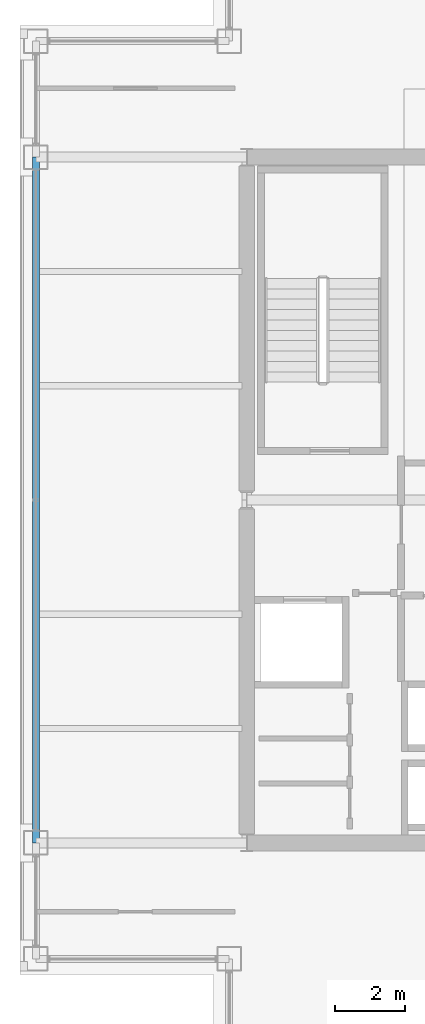
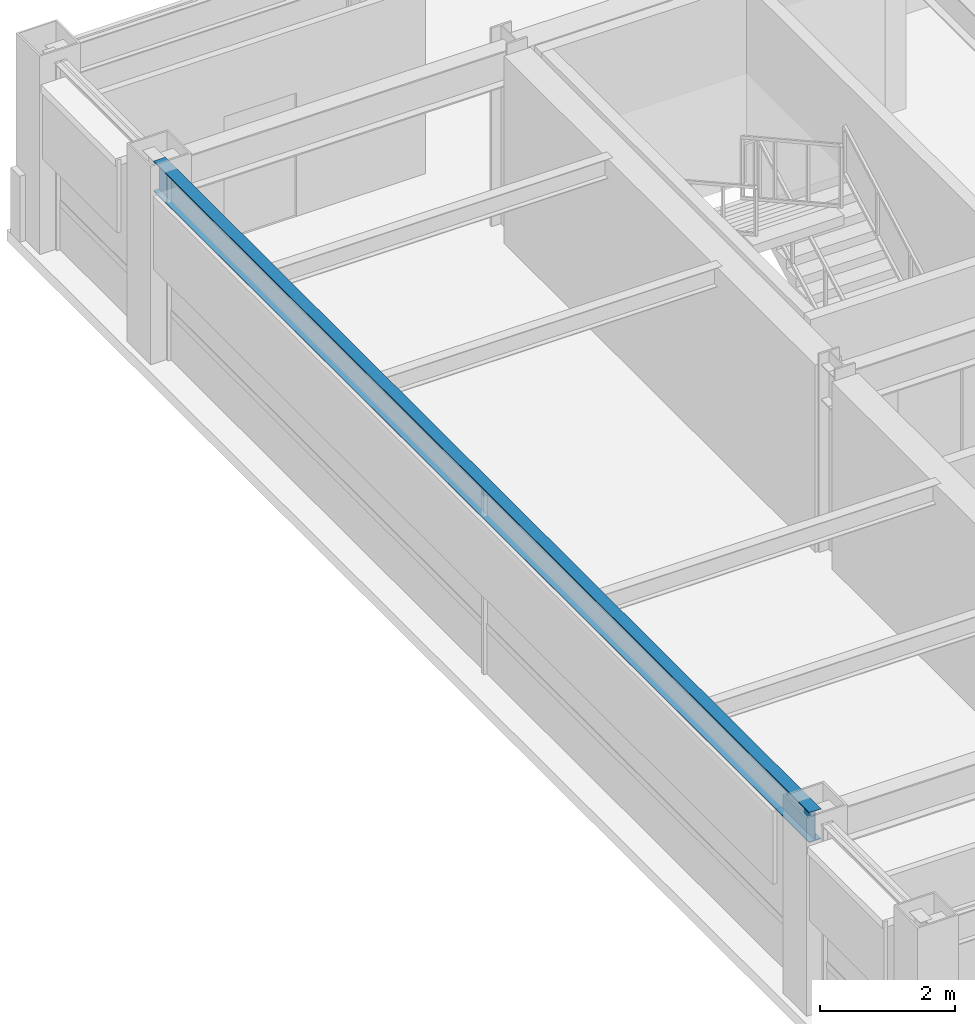
# One storey, part 7 of 26: 1 beam.
"""IFC4 building model written with IfcOpenShell, lengths in metres."""

from ifc_helpers import new_model, si_unit, direction, frame, origin, origin_2d, place, context, subcontext, project, spatial, i_section, extrude, material, material_profile, profile_set, type_object, element, save


model = new_model("IFC4")

# Units and contexts
model_context = context("Model", 3, precision=1e-05, world=origin(), true_north=direction((0.0, 1.0)))
body_context = subcontext(model_context, "Body", "Model", "MODEL_VIEW")
ifc_project = project(units=[si_unit("LENGTHUNIT", "METRE"), si_unit("AREAUNIT", "SQUARE_METRE"), si_unit("VOLUMEUNIT", "CUBIC_METRE"), si_unit("PLANEANGLEUNIT", "RADIAN"), si_unit("MASSUNIT", "GRAM", prefix="KILO")], contexts=[model_context])

# Site, building, storey
site_placement = place(None, origin())
site = spatial("IfcSite", under=ifc_project, at=site_placement, CompositionType="ELEMENT")
building_placement = place(site_placement, origin())
building = spatial("IfcBuilding", under=site, at=building_placement, Name="Brelmoor Portico Tower", CompositionType="ELEMENT")
storey_placement = place(building_placement, frame((0.0, 0.0, 205.5)))
storey = spatial("IfcBuildingStorey", under=building, at=storey_placement, Name="L54", CompositionType="ELEMENT", Elevation=205.5)

# Beam
ifc_material = material(Name="Steel Q355B", Category="steel")
ifc_material_profile = material_profile(ifc_material, i_section(OverallWidth=0.199951171875, OverallDepth=0.550048828125, WebThickness=0.010009765625, FlangeThickness=0.01611328125, at=origin_2d()), Name="HN 550x200x10x16")
ifc_profile_set = profile_set([ifc_material_profile], Name="Steel Q355B")
beam_type = type_object("IfcBeamType", Name="BM-SP-550", PredefinedType="SPANDREL", material=ifc_profile_set)
beam_placement = place(storey_placement, frame((-20.550048828125, -9.75, 3.125), z_axis=(0.0, 1.0, 0.0), x_axis=(-1.0, 0.0, 0.0)))
element("IfcBeam", 1, at=beam_placement, inside=storey, type_object=beam_type, Name="L54 Perimeter Spandrel Beam SP-12", PredefinedType="SPANDREL", context=body_context, shape_type="SweptSolid", body=[
    extrude(i_section(OverallWidth=0.199951171875, OverallDepth=0.550048828125, WebThickness=0.010009765625, FlangeThickness=0.01611328125, at=origin_2d()), origin(), (0.0, 0.0, 1.0), 19.5),
])

save(model, "model.ifc")
